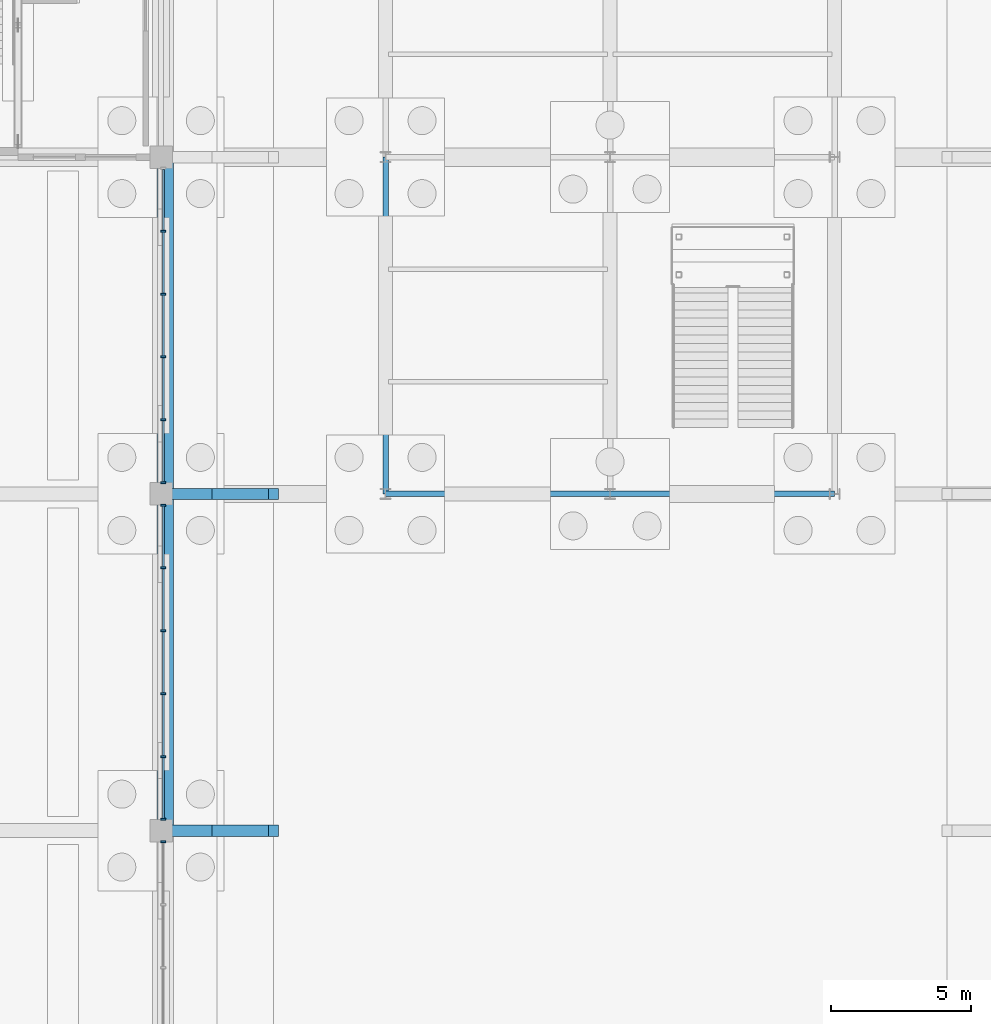
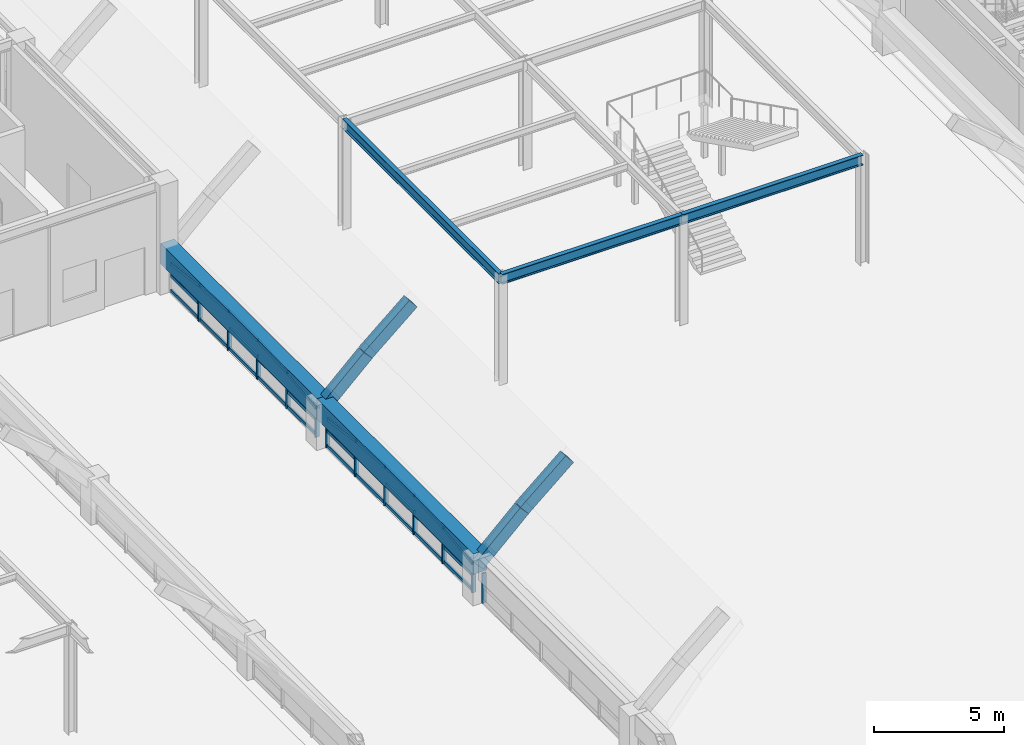
# One storey, part 54 of 129: 42 members, 9 beams, 3 elements without a shape of their own.
"""IFC4 building model written with IfcOpenShell, lengths in metres."""

from ifc_helpers import new_model, si_unit, direction, frame, origin, origin_2d, place, context, subcontext, project, spatial, rectangle, i_section, extrude, material, layer, layer_set, material_profile, profile_set, type_object, element, aggregate, save


model = new_model("IFC4")

# Units and contexts
model_context = context("Model", 3, precision=1e-05, world=origin(), true_north=direction((0.0, 1.0)))
body_context = subcontext(model_context, "Body", "Model", "MODEL_VIEW")
ifc_project = project(units=[si_unit("LENGTHUNIT", "METRE"), si_unit("AREAUNIT", "SQUARE_METRE"), si_unit("VOLUMEUNIT", "CUBIC_METRE"), si_unit("PLANEANGLEUNIT", "RADIAN"), si_unit("MASSUNIT", "GRAM", prefix="KILO")], contexts=[model_context])

# Site, building, storey
site_placement = place(None, origin())
site = spatial("IfcSite", under=ifc_project, at=site_placement, CompositionType="ELEMENT")
building_placement = place(site_placement, origin())
building = spatial("IfcBuilding", under=site, at=building_placement, Name="Sitalva Quay Ferry Terminal", CompositionType="ELEMENT")
storey_placement = place(building_placement, origin())
storey = spatial("IfcBuildingStorey", under=building, at=storey_placement, Name="L01", CompositionType="ELEMENT", Elevation=0.0)

# Beams
ifc_material_1 = material(Name="Concrete C40/50", Category="concrete")
ifc_material_profile_1 = material_profile(ifc_material_1, rectangle(XDim=0.39990234375, YDim=0.550048828125, at=origin_2d()), Name="RC400x550")
ifc_profile_set_1 = profile_set([ifc_material_profile_1], Name="Concrete C40/50")
beam_type_1 = type_object("IfcBeamType", Name="Beam_Arch_RC400x550", PredefinedType="BEAM", material=ifc_profile_set_1)
beam_1_placement = place(storey_placement, frame((42.0, 54.0, 1.6044921875), z_axis=(0.725680279623, 0.0, 0.688032071757), x_axis=(0.0, 1.0, 0.0)))
element("IfcBeam", 1, at=beam_1_placement, inside=storey, type_object=beam_type_1, Name="Vault V1 transverse arch rib 5.1", PredefinedType="BEAM", context=body_context, shape_type="SweptSolid", body=[
    extrude(rectangle(XDim=0.39990234375, YDim=0.550048828125, at=origin_2d()), origin(), (0.0, 0.0, 1.0), 2.756103515625),
])
beam_2_placement = place(storey_placement, frame((44.0, 54.0, 3.5107421875), z_axis=(0.760297282494, 0.0, 0.649575278342), x_axis=(0.0, 1.0, 0.0)))
element("IfcBeam", 2, at=beam_2_placement, inside=storey, type_object=beam_type_1, Name="Vault V1 transverse arch rib 5.2", PredefinedType="BEAM", context=body_context, shape_type="SweptSolid", body=[
    extrude(rectangle(XDim=0.39990234375, YDim=0.550048828125, at=origin_2d()), origin(), (0.0, 0.0, 1.0), 2.630615234375),
])
beam_3_placement = place(storey_placement, frame((42.0, 66.0, 1.6044921875), z_axis=(0.725680279623, 0.0, 0.688032071757), x_axis=(0.0, 1.0, 0.0)))
element("IfcBeam", 3, at=beam_3_placement, inside=storey, type_object=beam_type_1, Name="Vault V1 transverse arch rib 6.1", PredefinedType="BEAM", context=body_context, shape_type="SweptSolid", body=[
    extrude(rectangle(XDim=0.39990234375, YDim=0.550048828125, at=origin_2d()), origin(), (0.0, 0.0, 1.0), 2.756103515625),
])
beam_4_placement = place(storey_placement, frame((44.0, 66.0, 3.5107421875), z_axis=(0.760297282494, 0.0, 0.649575278342), x_axis=(0.0, 1.0, 0.0)))
element("IfcBeam", 4, at=beam_4_placement, inside=storey, type_object=beam_type_1, Name="Vault V1 transverse arch rib 6.2", PredefinedType="BEAM", context=body_context, shape_type="SweptSolid", body=[
    extrude(rectangle(XDim=0.39990234375, YDim=0.550048828125, at=origin_2d()), origin(), (0.0, 0.0, 1.0), 2.630615234375),
])
ifc_material_2 = material(Name="Concrete C40/50", Category="concrete")
ifc_material_profile_2 = material_profile(ifc_material_2, rectangle(XDim=0.60009765625, YDim=0.949951171875, at=origin_2d()), Name="RC600x950")
ifc_profile_set_2 = profile_set([ifc_material_profile_2], Name="Concrete C40/50")
beam_type_2 = type_object("IfcBeamType", Name="Beam_Edge_RC600x950", PredefinedType="BEAM", material=ifc_profile_set_2)
for number, where, z_axis, x_axis, name in (
    (5, (42.14990234375, 54.0, 1.625), (0.0, 1.0, 0.0), (-1.0, 0.0, 0.0), "Vault V1 longitudinal springing edge beam W bay 5"),
    (6, (42.14990234375, 66.0, 1.625), (0.0, 1.0, 0.0), (-1.0, 0.0, 0.0), "Vault V1 longitudinal springing edge beam W bay 6"),
):
    element("IfcBeam", number, at=place(storey_placement, frame(where, z_axis=z_axis, x_axis=x_axis)), inside=storey, type_object=beam_type_2, Name=name, PredefinedType="BEAM", context=body_context, shape_type="SweptSolid", body=[
        extrude(rectangle(XDim=0.60009765625, YDim=0.949951171875, at=origin_2d()), origin(), (0.0, 0.0, 1.0), 12.0),
    ])
ifc_material_3 = material(Name="Structural Steel S355JR", Category="steel")
ifc_material_profile_3 = material_profile(ifc_material_3, i_section(OverallWidth=0.194091796875, OverallDepth=0.468994140625, WebThickness=0.0126953125, FlangeThickness=0.0205078125, FilletRadius=0.013916015625, at=origin_2d()), Name="W460x106")
ifc_profile_set_3 = profile_set([ifc_material_profile_3], Name="Structural Steel S355JR")
beam_type_3 = type_object("IfcBeamType", Name="Girder_W460x106", PredefinedType="USERDEFINED", material=ifc_profile_set_3)
for number, where, z_axis, x_axis, name in (
    (7, (50.0, 66.0, 4.885498046875), (1.0, 0.0, 0.0), (0.0, 1.0, 0.0), "L01 Primary X girder 0146"),
    (8, (58.0, 66.0, 4.885498046875), (1.0, 0.0, 0.0), (0.0, 1.0, 0.0), "L01 Primary X girder 0147"),
):
    element("IfcBeam", number, at=place(storey_placement, frame(where, z_axis=z_axis, x_axis=x_axis)), inside=storey, type_object=beam_type_3, Name=name, ObjectType="GIRDER", PredefinedType="USERDEFINED", context=body_context, shape_type="SweptSolid", body=[
        extrude(i_section(OverallWidth=0.194091796875, OverallDepth=0.468994140625, WebThickness=0.0126953125, FlangeThickness=0.0205078125, FilletRadius=0.013916015625, at=origin_2d()), origin(), (0.0, 0.0, 1.0), 8.0),
    ])
beam_5_placement = place(storey_placement, frame((50.0, 66.0, 4.885498046875), z_axis=(0.0, 1.0, 0.0), x_axis=(-1.0, 0.0, 0.0)))
element("IfcBeam", 9, at=beam_5_placement, inside=storey, type_object=beam_type_3, Name="L01 Primary Y girder 0154", ObjectType="GIRDER", PredefinedType="USERDEFINED", context=body_context, shape_type="SweptSolid", body=[
    extrude(i_section(OverallWidth=0.194091796875, OverallDepth=0.468994140625, WebThickness=0.0126953125, FlangeThickness=0.0205078125, FilletRadius=0.013916015625, at=origin_2d()), origin(), (0.0, 0.0, 1.0), 12.0),
])

# Curtain wall, member
ifc_material_4 = material(Name="Anodised Aluminium & Low-E Glazing", Category="aluminium")
ifc_layer = layer(ifc_material_4, 0.159912109375)
ifc_layer_set = layer_set([ifc_layer], Name="Anodised Aluminium & Low-E Glazing")
curtain_wall_type = type_object("IfcCurtainWallType", Name="CW_VaultArch_Glazed", PredefinedType="USERDEFINED", material=ifc_layer_set)
curtain_wall_1_placement = place(storey_placement, origin())
curtain_wall_1 = element("IfcCurtainWall", 10, at=curtain_wall_1_placement, inside=storey, type_object=curtain_wall_type, Name="V1-W shallow-arch base glazing (CW-L01-023)", ObjectType="CURTAIN_WALL", PredefinedType="USERDEFINED")
ifc_material_5 = material(Name="Anodised Aluminium 6063-T6", Category="aluminium")
ifc_material_profile_4 = material_profile(ifc_material_5, rectangle(XDim=0.070068359375, YDim=0.181884765625, at=origin_2d()), Name="ALU70x182")
ifc_profile_set_4 = profile_set([ifc_material_profile_4], Name="Anodised Aluminium 6063-T6")
member_type_1 = type_object("IfcMemberType", Name="Mullion_Alu_65x170", PredefinedType="MULLION", material=ifc_profile_set_4)
member_1_placement = place(storey_placement, frame((42.080078125, 53.60009765625, 0.0), z_axis=(0.0, 0.0, 1.0), x_axis=(0.0, 1.0, 0.0)))
member_1 = element("IfcMember", 11, at=member_1_placement, type_object=member_type_1, Name="CW-L01-023-M5", PredefinedType="MULLION", context=body_context, shape_type="SweptSolid", body=[
    extrude(rectangle(XDim=0.070068359375, YDim=0.181884765625, at=origin_2d()), origin(), (0.0, 0.0, 1.0), 1.39990234375),
])
aggregate(curtain_wall_1, [member_1])

# Curtain wall, members
curtain_wall_2_placement = place(storey_placement, origin())
curtain_wall_2 = element("IfcCurtainWall", 12, at=curtain_wall_2_placement, inside=storey, type_object=curtain_wall_type, Name="V1-W shallow-arch base glazing (CW-L01-026)", ObjectType="CURTAIN_WALL", PredefinedType="USERDEFINED")
member_2_placement = place(storey_placement, frame((42.080078125, 54.39990234375, 0.0), z_axis=(0.0, 0.0, 1.0), x_axis=(0.0, 1.0, 0.0)))
member_2 = element("IfcMember", 13, at=member_2_placement, type_object=member_type_1, Name="CW-L01-026-M0", PredefinedType="MULLION", context=body_context, shape_type="SweptSolid", body=[
    extrude(rectangle(XDim=0.070068359375, YDim=0.181884765625, at=origin_2d()), origin(), (0.0, 0.0, 1.0), 1.39990234375),
])
member_3_placement = place(storey_placement, frame((42.080078125, 56.639892578125, 0.0), z_axis=(0.0, 0.0, 1.0), x_axis=(0.0, 1.0, 0.0)))
member_3 = element("IfcMember", 14, at=member_3_placement, type_object=member_type_1, Name="CW-L01-026-M1", PredefinedType="MULLION", context=body_context, shape_type="SweptSolid", body=[
    extrude(rectangle(XDim=0.070068359375, YDim=0.181884765625, at=origin_2d()), origin(), (0.0, 0.0, 1.0), 1.707275390625),
])
member_4_placement = place(storey_placement, frame((42.080078125, 58.8798828125, 0.0), z_axis=(0.0, 0.0, 1.0), x_axis=(0.0, 1.0, 0.0)))
member_4 = element("IfcMember", 15, at=member_4_placement, type_object=member_type_1, Name="CW-L01-026-M2", PredefinedType="MULLION", context=body_context, shape_type="SweptSolid", body=[
    extrude(rectangle(XDim=0.070068359375, YDim=0.181884765625, at=origin_2d()), origin(), (0.0, 0.0, 1.0), 1.86083984375),
])
member_5_placement = place(storey_placement, frame((42.080078125, 61.1201171875, 0.0), z_axis=(0.0, 0.0, 1.0), x_axis=(0.0, 1.0, 0.0)))
member_5 = element("IfcMember", 16, at=member_5_placement, type_object=member_type_1, Name="CW-L01-026-M3", PredefinedType="MULLION", context=body_context, shape_type="SweptSolid", body=[
    extrude(rectangle(XDim=0.070068359375, YDim=0.181884765625, at=origin_2d()), origin(), (0.0, 0.0, 1.0), 1.86083984375),
])
member_6_placement = place(storey_placement, frame((42.080078125, 63.360107421875, 0.0), z_axis=(0.0, 0.0, 1.0), x_axis=(0.0, 1.0, 0.0)))
member_6 = element("IfcMember", 17, at=member_6_placement, type_object=member_type_1, Name="CW-L01-026-M4", PredefinedType="MULLION", context=body_context, shape_type="SweptSolid", body=[
    extrude(rectangle(XDim=0.070068359375, YDim=0.181884765625, at=origin_2d()), origin(), (0.0, 0.0, 1.0), 1.707275390625),
])
member_7_placement = place(storey_placement, frame((42.080078125, 65.60009765625, 0.0), z_axis=(0.0, 0.0, 1.0), x_axis=(0.0, 1.0, 0.0)))
member_7 = element("IfcMember", 18, at=member_7_placement, type_object=member_type_1, Name="CW-L01-026-M5", PredefinedType="MULLION", context=body_context, shape_type="SweptSolid", body=[
    extrude(rectangle(XDim=0.070068359375, YDim=0.181884765625, at=origin_2d()), origin(), (0.0, 0.0, 1.0), 1.39990234375),
])

curtain_wall_3_placement = place(storey_placement, origin())
curtain_wall_3 = element("IfcCurtainWall", 19, at=curtain_wall_3_placement, inside=storey, type_object=curtain_wall_type, Name="V1-W shallow-arch base glazing (CW-L01-029)", ObjectType="CURTAIN_WALL", PredefinedType="USERDEFINED")
member_8_placement = place(storey_placement, frame((42.080078125, 66.39990234375, 0.0), z_axis=(0.0, 0.0, 1.0), x_axis=(0.0, 1.0, 0.0)))
member_8 = element("IfcMember", 20, at=member_8_placement, type_object=member_type_1, Name="CW-L01-029-M0", PredefinedType="MULLION", context=body_context, shape_type="SweptSolid", body=[
    extrude(rectangle(XDim=0.070068359375, YDim=0.181884765625, at=origin_2d()), origin(), (0.0, 0.0, 1.0), 1.39990234375),
])
member_9_placement = place(storey_placement, frame((42.080078125, 68.639892578125, 0.0), z_axis=(0.0, 0.0, 1.0), x_axis=(0.0, 1.0, 0.0)))
member_9 = element("IfcMember", 21, at=member_9_placement, type_object=member_type_1, Name="CW-L01-029-M1", PredefinedType="MULLION", context=body_context, shape_type="SweptSolid", body=[
    extrude(rectangle(XDim=0.070068359375, YDim=0.181884765625, at=origin_2d()), origin(), (0.0, 0.0, 1.0), 1.707275390625),
])
member_10_placement = place(storey_placement, frame((42.080078125, 70.8798828125, 0.0), z_axis=(0.0, 0.0, 1.0), x_axis=(0.0, 1.0, 0.0)))
member_10 = element("IfcMember", 22, at=member_10_placement, type_object=member_type_1, Name="CW-L01-029-M2", PredefinedType="MULLION", context=body_context, shape_type="SweptSolid", body=[
    extrude(rectangle(XDim=0.070068359375, YDim=0.181884765625, at=origin_2d()), origin(), (0.0, 0.0, 1.0), 1.86083984375),
])
member_11_placement = place(storey_placement, frame((42.080078125, 73.1201171875, 0.0), z_axis=(0.0, 0.0, 1.0), x_axis=(0.0, 1.0, 0.0)))
member_11 = element("IfcMember", 23, at=member_11_placement, type_object=member_type_1, Name="CW-L01-029-M3", PredefinedType="MULLION", context=body_context, shape_type="SweptSolid", body=[
    extrude(rectangle(XDim=0.070068359375, YDim=0.181884765625, at=origin_2d()), origin(), (0.0, 0.0, 1.0), 1.86083984375),
])
member_12_placement = place(storey_placement, frame((42.080078125, 75.360107421875, 0.0), z_axis=(0.0, 0.0, 1.0), x_axis=(0.0, 1.0, 0.0)))
member_12 = element("IfcMember", 24, at=member_12_placement, type_object=member_type_1, Name="CW-L01-029-M4", PredefinedType="MULLION", context=body_context, shape_type="SweptSolid", body=[
    extrude(rectangle(XDim=0.070068359375, YDim=0.181884765625, at=origin_2d()), origin(), (0.0, 0.0, 1.0), 1.707275390625),
])

# Member
ifc_material_6 = material(Name="Anodised Aluminium 6063-T6", Category="aluminium")
ifc_material_profile_5 = material_profile(ifc_material_6, rectangle(XDim=0.074951171875, YDim=0.155029296875, at=origin_2d()), Name="ALU75x155")
ifc_profile_set_5 = profile_set([ifc_material_profile_5], Name="Anodised Aluminium 6063-T6")
member_type_2 = type_object("IfcMemberType", Name="Transom_Alu_70x135", PredefinedType="MULLION", material=ifc_profile_set_5)
member_13_placement = place(storey_placement, frame((42.080078125, 54.43505859375, 0.077392578125), z_axis=(0.0, 1.0, 0.0), x_axis=(-1.0, 0.0, 0.0)))
member_13 = element("IfcMember", 25, at=member_13_placement, type_object=member_type_2, Name="CW-L01-026-T0-0", ObjectType="TRANSOM", PredefinedType="USERDEFINED", context=body_context, shape_type="SweptSolid", body=[
    extrude(rectangle(XDim=0.074951171875, YDim=0.155029296875, at=origin_2d()), origin(), (0.0, 0.0, 1.0), 2.169921875),
])

member_14_placement = place(storey_placement, frame((42.080078125, 54.43505859375, 0.777587890625), z_axis=(0.0, 1.0, 0.0), x_axis=(-1.0, 0.0, 0.0)))
member_14 = element("IfcMember", 26, at=member_14_placement, type_object=member_type_2, Name="CW-L01-026-T0-1", ObjectType="TRANSOM", PredefinedType="USERDEFINED", context=body_context, shape_type="SweptSolid", body=[
    extrude(rectangle(XDim=0.074951171875, YDim=0.155029296875, at=origin_2d()), origin(), (0.0, 0.0, 1.0), 2.169921875),
])

member_15_placement = place(storey_placement, frame((42.080078125, 54.43505859375, 1.322509765625), z_axis=(0.0, 0.990131365095, 0.140142355681), x_axis=(-1.0, 0.0, 0.0)))
member_15 = element("IfcMember", 27, at=member_15_placement, type_object=member_type_2, Name="CW-L01-026-T0-2", ObjectType="TRANSOM", PredefinedType="USERDEFINED", context=body_context, shape_type="SweptSolid", body=[
    extrude(rectangle(XDim=0.074951171875, YDim=0.155029296875, at=origin_2d()), origin(), (0.0, 0.0, 1.0), 2.191650390625),
])

member_16_placement = place(storey_placement, frame((42.080078125, 56.675048828125, 0.077392578125), z_axis=(0.0, 1.0, 0.0), x_axis=(-1.0, 0.0, 0.0)))
member_16 = element("IfcMember", 28, at=member_16_placement, type_object=member_type_2, Name="CW-L01-026-T1-0", ObjectType="TRANSOM", PredefinedType="USERDEFINED", context=body_context, shape_type="SweptSolid", body=[
    extrude(rectangle(XDim=0.074951171875, YDim=0.155029296875, at=origin_2d()), origin(), (0.0, 0.0, 1.0), 2.169921875),
])

member_17_placement = place(storey_placement, frame((42.080078125, 56.675048828125, 0.93115234375), z_axis=(0.0, 1.0, 0.0), x_axis=(-1.0, 0.0, 0.0)))
member_17 = element("IfcMember", 29, at=member_17_placement, type_object=member_type_2, Name="CW-L01-026-T1-1", ObjectType="TRANSOM", PredefinedType="USERDEFINED", context=body_context, shape_type="SweptSolid", body=[
    extrude(rectangle(XDim=0.074951171875, YDim=0.155029296875, at=origin_2d()), origin(), (0.0, 0.0, 1.0), 2.169921875),
])

member_18_placement = place(storey_placement, frame((42.080078125, 56.675048828125, 1.629638671875), z_axis=(0.0, 0.997505200677, 0.070593021065), x_axis=(-1.0, 0.0, 0.0)))
member_18 = element("IfcMember", 30, at=member_18_placement, type_object=member_type_2, Name="CW-L01-026-T1-2", ObjectType="TRANSOM", PredefinedType="USERDEFINED", context=body_context, shape_type="SweptSolid", body=[
    extrude(rectangle(XDim=0.074951171875, YDim=0.155029296875, at=origin_2d()), origin(), (0.0, 0.0, 1.0), 2.17529296875),
])

member_19_placement = place(storey_placement, frame((42.080078125, 58.9150390625, 0.077392578125), z_axis=(0.0, 1.0, 0.0), x_axis=(-1.0, 0.0, 0.0)))
member_19 = element("IfcMember", 31, at=member_19_placement, type_object=member_type_2, Name="CW-L01-026-T2-0", ObjectType="TRANSOM", PredefinedType="USERDEFINED", context=body_context, shape_type="SweptSolid", body=[
    extrude(rectangle(XDim=0.074951171875, YDim=0.155029296875, at=origin_2d()), origin(), (0.0, 0.0, 1.0), 2.169921875),
])

member_20_placement = place(storey_placement, frame((42.080078125, 58.9150390625, 1.0078125), z_axis=(0.0, 1.0, 0.0), x_axis=(-1.0, 0.0, 0.0)))
member_20 = element("IfcMember", 32, at=member_20_placement, type_object=member_type_2, Name="CW-L01-026-T2-1", ObjectType="TRANSOM", PredefinedType="USERDEFINED", context=body_context, shape_type="SweptSolid", body=[
    extrude(rectangle(XDim=0.074951171875, YDim=0.155029296875, at=origin_2d()), origin(), (0.0, 0.0, 1.0), 2.169921875),
])

member_21_placement = place(storey_placement, frame((42.080078125, 58.9150390625, 1.783203125), z_axis=(0.0, 1.0, 0.0), x_axis=(-1.0, 0.0, 0.0)))
member_21 = element("IfcMember", 33, at=member_21_placement, type_object=member_type_2, Name="CW-L01-026-T2-2", ObjectType="TRANSOM", PredefinedType="USERDEFINED", context=body_context, shape_type="SweptSolid", body=[
    extrude(rectangle(XDim=0.074951171875, YDim=0.155029296875, at=origin_2d()), origin(), (0.0, 0.0, 1.0), 2.169921875),
])

member_22_placement = place(storey_placement, frame((42.080078125, 61.155029296875, 0.077392578125), z_axis=(0.0, 1.0, 0.0), x_axis=(-1.0, 0.0, 0.0)))
member_22 = element("IfcMember", 34, at=member_22_placement, type_object=member_type_2, Name="CW-L01-026-T3-0", ObjectType="TRANSOM", PredefinedType="USERDEFINED", context=body_context, shape_type="SweptSolid", body=[
    extrude(rectangle(XDim=0.074951171875, YDim=0.155029296875, at=origin_2d()), origin(), (0.0, 0.0, 1.0), 2.169921875),
])

member_23_placement = place(storey_placement, frame((42.080078125, 61.155029296875, 0.93115234375), z_axis=(0.0, 1.0, 0.0), x_axis=(-1.0, 0.0, 0.0)))
member_23 = element("IfcMember", 35, at=member_23_placement, type_object=member_type_2, Name="CW-L01-026-T3-1", ObjectType="TRANSOM", PredefinedType="USERDEFINED", context=body_context, shape_type="SweptSolid", body=[
    extrude(rectangle(XDim=0.074951171875, YDim=0.155029296875, at=origin_2d()), origin(), (0.0, 0.0, 1.0), 2.169921875),
])

member_24_placement = place(storey_placement, frame((42.080078125, 61.155029296875, 1.783203125), z_axis=(0.0, 0.997505200677, -0.070593021065), x_axis=(-1.0, 0.0, 0.0)))
member_24 = element("IfcMember", 36, at=member_24_placement, type_object=member_type_2, Name="CW-L01-026-T3-2", ObjectType="TRANSOM", PredefinedType="USERDEFINED", context=body_context, shape_type="SweptSolid", body=[
    extrude(rectangle(XDim=0.074951171875, YDim=0.155029296875, at=origin_2d()), origin(), (0.0, 0.0, 1.0), 2.17529296875),
])

member_25_placement = place(storey_placement, frame((42.080078125, 63.39501953125, 0.077392578125), z_axis=(0.0, 1.0, 0.0), x_axis=(-1.0, 0.0, 0.0)))
member_25 = element("IfcMember", 37, at=member_25_placement, type_object=member_type_2, Name="CW-L01-026-T4-0", ObjectType="TRANSOM", PredefinedType="USERDEFINED", context=body_context, shape_type="SweptSolid", body=[
    extrude(rectangle(XDim=0.074951171875, YDim=0.155029296875, at=origin_2d()), origin(), (0.0, 0.0, 1.0), 2.169921875),
])

member_26_placement = place(storey_placement, frame((42.080078125, 63.39501953125, 0.777587890625), z_axis=(0.0, 1.0, 0.0), x_axis=(-1.0, 0.0, 0.0)))
member_26 = element("IfcMember", 38, at=member_26_placement, type_object=member_type_2, Name="CW-L01-026-T4-1", ObjectType="TRANSOM", PredefinedType="USERDEFINED", context=body_context, shape_type="SweptSolid", body=[
    extrude(rectangle(XDim=0.074951171875, YDim=0.155029296875, at=origin_2d()), origin(), (0.0, 0.0, 1.0), 2.169921875),
])

member_27_placement = place(storey_placement, frame((42.080078125, 63.39501953125, 1.629638671875), z_axis=(0.0, 0.990131365095, -0.140142355681), x_axis=(-1.0, 0.0, 0.0)))
member_27 = element("IfcMember", 39, at=member_27_placement, type_object=member_type_2, Name="CW-L01-026-T4-2", ObjectType="TRANSOM", PredefinedType="USERDEFINED", context=body_context, shape_type="SweptSolid", body=[
    extrude(rectangle(XDim=0.074951171875, YDim=0.155029296875, at=origin_2d()), origin(), (0.0, 0.0, 1.0), 2.191650390625),
])

aggregate(curtain_wall_2, [member_2, member_3, member_4, member_5, member_6, member_7, member_13, member_14, member_15, member_16, member_17, member_18, member_19, member_20, member_21, member_22, member_23, member_24, member_25, member_26, member_27])

member_28_placement = place(storey_placement, frame((42.080078125, 66.43505859375, 0.077392578125), z_axis=(0.0, 1.0, 0.0), x_axis=(-1.0, 0.0, 0.0)))
member_28 = element("IfcMember", 40, at=member_28_placement, type_object=member_type_2, Name="CW-L01-029-T0-0", ObjectType="TRANSOM", PredefinedType="USERDEFINED", context=body_context, shape_type="SweptSolid", body=[
    extrude(rectangle(XDim=0.074951171875, YDim=0.155029296875, at=origin_2d()), origin(), (0.0, 0.0, 1.0), 2.169921875),
])

member_29_placement = place(storey_placement, frame((42.080078125, 66.43505859375, 0.777587890625), z_axis=(0.0, 1.0, 0.0), x_axis=(-1.0, 0.0, 0.0)))
member_29 = element("IfcMember", 41, at=member_29_placement, type_object=member_type_2, Name="CW-L01-029-T0-1", ObjectType="TRANSOM", PredefinedType="USERDEFINED", context=body_context, shape_type="SweptSolid", body=[
    extrude(rectangle(XDim=0.074951171875, YDim=0.155029296875, at=origin_2d()), origin(), (0.0, 0.0, 1.0), 2.169921875),
])

member_30_placement = place(storey_placement, frame((42.080078125, 66.43505859375, 1.322509765625), z_axis=(0.0, 0.990131365095, 0.140142355681), x_axis=(-1.0, 0.0, 0.0)))
member_30 = element("IfcMember", 42, at=member_30_placement, type_object=member_type_2, Name="CW-L01-029-T0-2", ObjectType="TRANSOM", PredefinedType="USERDEFINED", context=body_context, shape_type="SweptSolid", body=[
    extrude(rectangle(XDim=0.074951171875, YDim=0.155029296875, at=origin_2d()), origin(), (0.0, 0.0, 1.0), 2.191650390625),
])

member_31_placement = place(storey_placement, frame((42.080078125, 68.675048828125, 0.077392578125), z_axis=(0.0, 1.0, 0.0), x_axis=(-1.0, 0.0, 0.0)))
member_31 = element("IfcMember", 43, at=member_31_placement, type_object=member_type_2, Name="CW-L01-029-T1-0", ObjectType="TRANSOM", PredefinedType="USERDEFINED", context=body_context, shape_type="SweptSolid", body=[
    extrude(rectangle(XDim=0.074951171875, YDim=0.155029296875, at=origin_2d()), origin(), (0.0, 0.0, 1.0), 2.169921875),
])

member_32_placement = place(storey_placement, frame((42.080078125, 68.675048828125, 0.93115234375), z_axis=(0.0, 1.0, 0.0), x_axis=(-1.0, 0.0, 0.0)))
member_32 = element("IfcMember", 44, at=member_32_placement, type_object=member_type_2, Name="CW-L01-029-T1-1", ObjectType="TRANSOM", PredefinedType="USERDEFINED", context=body_context, shape_type="SweptSolid", body=[
    extrude(rectangle(XDim=0.074951171875, YDim=0.155029296875, at=origin_2d()), origin(), (0.0, 0.0, 1.0), 2.169921875),
])

member_33_placement = place(storey_placement, frame((42.080078125, 68.675048828125, 1.629638671875), z_axis=(0.0, 0.997505200677, 0.070593021065), x_axis=(-1.0, 0.0, 0.0)))
member_33 = element("IfcMember", 45, at=member_33_placement, type_object=member_type_2, Name="CW-L01-029-T1-2", ObjectType="TRANSOM", PredefinedType="USERDEFINED", context=body_context, shape_type="SweptSolid", body=[
    extrude(rectangle(XDim=0.074951171875, YDim=0.155029296875, at=origin_2d()), origin(), (0.0, 0.0, 1.0), 2.17529296875),
])

member_34_placement = place(storey_placement, frame((42.080078125, 70.9150390625, 0.077392578125), z_axis=(0.0, 1.0, 0.0), x_axis=(-1.0, 0.0, 0.0)))
member_34 = element("IfcMember", 46, at=member_34_placement, type_object=member_type_2, Name="CW-L01-029-T2-0", ObjectType="TRANSOM", PredefinedType="USERDEFINED", context=body_context, shape_type="SweptSolid", body=[
    extrude(rectangle(XDim=0.074951171875, YDim=0.155029296875, at=origin_2d()), origin(), (0.0, 0.0, 1.0), 2.169921875),
])

member_35_placement = place(storey_placement, frame((42.080078125, 70.9150390625, 1.0078125), z_axis=(0.0, 1.0, 0.0), x_axis=(-1.0, 0.0, 0.0)))
member_35 = element("IfcMember", 47, at=member_35_placement, type_object=member_type_2, Name="CW-L01-029-T2-1", ObjectType="TRANSOM", PredefinedType="USERDEFINED", context=body_context, shape_type="SweptSolid", body=[
    extrude(rectangle(XDim=0.074951171875, YDim=0.155029296875, at=origin_2d()), origin(), (0.0, 0.0, 1.0), 2.169921875),
])

member_36_placement = place(storey_placement, frame((42.080078125, 70.9150390625, 1.783203125), z_axis=(0.0, 1.0, 0.0), x_axis=(-1.0, 0.0, 0.0)))
member_36 = element("IfcMember", 48, at=member_36_placement, type_object=member_type_2, Name="CW-L01-029-T2-2", ObjectType="TRANSOM", PredefinedType="USERDEFINED", context=body_context, shape_type="SweptSolid", body=[
    extrude(rectangle(XDim=0.074951171875, YDim=0.155029296875, at=origin_2d()), origin(), (0.0, 0.0, 1.0), 2.169921875),
])

member_37_placement = place(storey_placement, frame((42.080078125, 73.155029296875, 0.077392578125), z_axis=(0.0, 1.0, 0.0), x_axis=(-1.0, 0.0, 0.0)))
member_37 = element("IfcMember", 49, at=member_37_placement, type_object=member_type_2, Name="CW-L01-029-T3-0", ObjectType="TRANSOM", PredefinedType="USERDEFINED", context=body_context, shape_type="SweptSolid", body=[
    extrude(rectangle(XDim=0.074951171875, YDim=0.155029296875, at=origin_2d()), origin(), (0.0, 0.0, 1.0), 2.169921875),
])

member_38_placement = place(storey_placement, frame((42.080078125, 73.155029296875, 0.93115234375), z_axis=(0.0, 1.0, 0.0), x_axis=(-1.0, 0.0, 0.0)))
member_38 = element("IfcMember", 50, at=member_38_placement, type_object=member_type_2, Name="CW-L01-029-T3-1", ObjectType="TRANSOM", PredefinedType="USERDEFINED", context=body_context, shape_type="SweptSolid", body=[
    extrude(rectangle(XDim=0.074951171875, YDim=0.155029296875, at=origin_2d()), origin(), (0.0, 0.0, 1.0), 2.169921875),
])

member_39_placement = place(storey_placement, frame((42.080078125, 73.155029296875, 1.783203125), z_axis=(0.0, 0.997505200677, -0.070593021065), x_axis=(-1.0, 0.0, 0.0)))
member_39 = element("IfcMember", 51, at=member_39_placement, type_object=member_type_2, Name="CW-L01-029-T3-2", ObjectType="TRANSOM", PredefinedType="USERDEFINED", context=body_context, shape_type="SweptSolid", body=[
    extrude(rectangle(XDim=0.074951171875, YDim=0.155029296875, at=origin_2d()), origin(), (0.0, 0.0, 1.0), 2.17529296875),
])

member_40_placement = place(storey_placement, frame((42.080078125, 75.39501953125, 0.077392578125), z_axis=(0.0, 1.0, 0.0), x_axis=(-1.0, 0.0, 0.0)))
member_40 = element("IfcMember", 52, at=member_40_placement, type_object=member_type_2, Name="CW-L01-029-T4-0", ObjectType="TRANSOM", PredefinedType="USERDEFINED", context=body_context, shape_type="SweptSolid", body=[
    extrude(rectangle(XDim=0.074951171875, YDim=0.155029296875, at=origin_2d()), origin(), (0.0, 0.0, 1.0), 2.169921875),
])

member_41_placement = place(storey_placement, frame((42.080078125, 75.39501953125, 0.777587890625), z_axis=(0.0, 1.0, 0.0), x_axis=(-1.0, 0.0, 0.0)))
member_41 = element("IfcMember", 53, at=member_41_placement, type_object=member_type_2, Name="CW-L01-029-T4-1", ObjectType="TRANSOM", PredefinedType="USERDEFINED", context=body_context, shape_type="SweptSolid", body=[
    extrude(rectangle(XDim=0.074951171875, YDim=0.155029296875, at=origin_2d()), origin(), (0.0, 0.0, 1.0), 2.169921875),
])

member_42_placement = place(storey_placement, frame((42.080078125, 75.39501953125, 1.629638671875), z_axis=(0.0, 0.990131365095, -0.140142355681), x_axis=(-1.0, 0.0, 0.0)))
member_42 = element("IfcMember", 54, at=member_42_placement, type_object=member_type_2, Name="CW-L01-029-T4-2", ObjectType="TRANSOM", PredefinedType="USERDEFINED", context=body_context, shape_type="SweptSolid", body=[
    extrude(rectangle(XDim=0.074951171875, YDim=0.155029296875, at=origin_2d()), origin(), (0.0, 0.0, 1.0), 2.191650390625),
])

aggregate(curtain_wall_3, [member_8, member_9, member_10, member_11, member_12, member_28, member_29, member_30, member_31, member_32, member_33, member_34, member_35, member_36, member_37, member_38, member_39, member_40, member_41, member_42])

save(model, "model.ifc")
